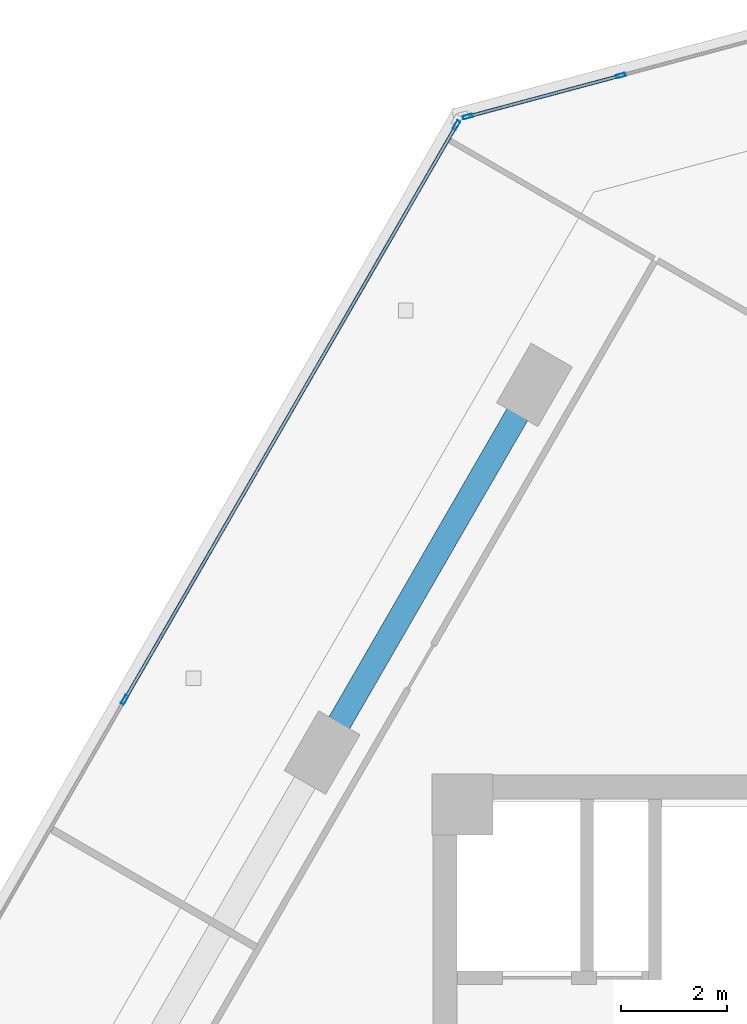
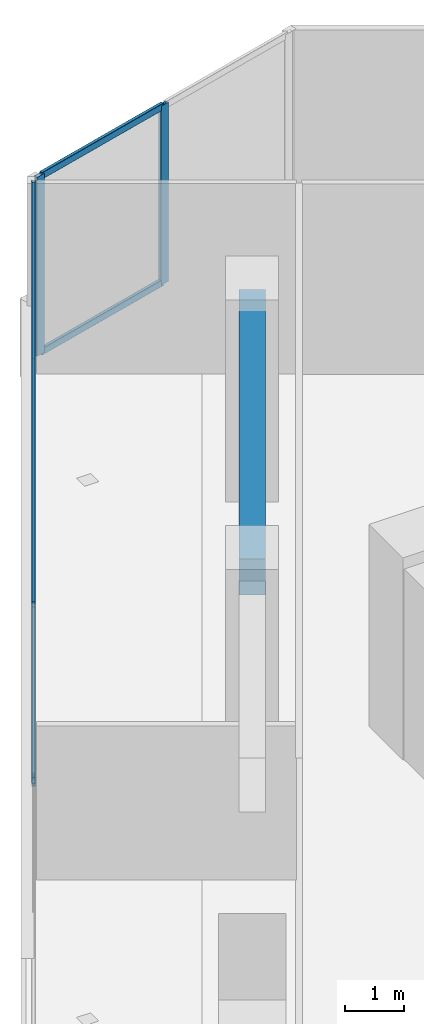
# One storey, part 12 of 21: 8 members, 1 beam, 2 elements without a shape of their own.
"""IFC4 building model written with IfcOpenShell, lengths in metres."""

from ifc_helpers import new_model, si_unit, direction, frame, origin, origin_2d, place, context, subcontext, project, spatial, rectangle, hollow_rectangle, extrude, source, transform, mapped, material, material_profile, profile_set, type_object, element, aggregate, save


model = new_model("IFC4")

# Units and contexts
model_context = context("Model", 3, precision=1e-05, world=origin(), true_north=direction((0.0, 1.0)))
body_context = subcontext(model_context, "Body", "Model", "MODEL_VIEW")
ifc_project = project(units=[si_unit("LENGTHUNIT", "METRE"), si_unit("AREAUNIT", "SQUARE_METRE"), si_unit("VOLUMEUNIT", "CUBIC_METRE"), si_unit("PLANEANGLEUNIT", "RADIAN"), si_unit("MASSUNIT", "GRAM", prefix="KILO")], contexts=[model_context])

# Site, building, storey
site_placement = place(None, origin())
site = spatial("IfcSite", under=ifc_project, at=site_placement, CompositionType="ELEMENT")
building_placement = place(site_placement, origin())
building = spatial("IfcBuilding", under=site, at=building_placement, Name="Torre Montelarca", CompositionType="ELEMENT")
storey_placement = place(building_placement, frame((0.0, 0.0, 179.199951171875)))
storey = spatial("IfcBuildingStorey", under=building, at=storey_placement, Name="L40", CompositionType="ELEMENT", Elevation=179.199951171875)

# Beam
ifc_material_1 = material(Name="Concrete C55/67", Category="concrete")
ifc_material_profile_1 = material_profile(ifc_material_1, rectangle(XDim=0.449951171875, YDim=0.75, at=origin_2d()), Name="RCB450X750", Category="concrete")
ifc_profile_set_1 = profile_set([ifc_material_profile_1], Name="Concrete C55/67")
beam_type = type_object("IfcBeamType", Name="BM-SP-RC750-EXT", PredefinedType="SPANDREL", material=ifc_profile_set_1)
shared_shape_1 = source(origin(), body_context, "Body", "SweptSolid", [
    extrude(rectangle(XDim=0.449951171875, YDim=0.75, at=origin_2d()), origin(), (0.0, 0.0, 1.0), 8.0),
])
beam_placement = place(storey_placement, frame((6.907470703125, 40.425048828125, 3.5849609375), z_axis=(0.49999894854, 0.866026010844, 0.0), x_axis=(-0.866026010844, 0.49999894854, 0.0)))
element("IfcBeam", 1, at=beam_placement, inside=storey, type_object=beam_type, Name="L40 Grid Girder Y 32.0-40.0 at X=4.7", PredefinedType="SPANDREL", context=body_context, shape_type="MappedRepresentation", body=[
    mapped(shared_shape_1, transform((0.0, 0.0, 0.0), scale=1.0)),
])

# Curtain wall, members
ifc_material_2 = material(Name="Insulated low-E laminated glass", Category="glass")
curtain_wall_type = type_object("IfcCurtainWallType", Name="CW-SYS-Z2", PredefinedType="USERDEFINED", material=ifc_material_2)
curtain_wall_1_placement = place(storey_placement, origin())
curtain_wall_1 = element("IfcCurtainWall", 2, at=curtain_wall_1_placement, inside=storey, type_object=curtain_wall_type, Name="L40 Curtain Wall Run CW-T3-L40-E09-B1", ObjectType="UNITISED GLAZING", PredefinedType="USERDEFINED")
ifc_material_3 = material(Name="Anodised aluminium AA 6063-T6", Category="aluminium")
ifc_material_profile_2 = material_profile(ifc_material_3, hollow_rectangle(XDim=0.06494140625, YDim=0.139892578125, WallThickness=0.00390625, InnerFilletRadius=0.00390625, OuterFilletRadius=0.008056640625, at=origin_2d()), Name="ALU65X140X4", Category="aluminium")
ifc_profile_set_2 = profile_set([ifc_material_profile_2], Name="Anodised aluminium AA 6063-T6")
member_type_1 = type_object("IfcMemberType", Name="CWT-ALU140", PredefinedType="USERDEFINED", material=ifc_profile_set_2)
shared_shape_2 = source(origin(), body_context, "Body", "SweptSolid", [
    extrude(hollow_rectangle(XDim=0.06494140625, YDim=0.139892578125, WallThickness=0.00390625, InnerFilletRadius=0.00390625, OuterFilletRadius=0.008056640625, at=origin_2d()), origin(), (0.0, 0.0, 1.0), 2.91845703125),
])
member_1_placement = place(storey_placement, frame((12.4990234375, 53.172119140625, 0.032470703125), z_axis=(-0.965926021302, -0.258818317304, 0.0), x_axis=(0.258818317304, -0.965926021302, 0.0)))
member_1 = element("IfcMember", 3, at=member_1_placement, type_object=member_type_1, Name="CW transom 2.1", ObjectType="TRANSOM", PredefinedType="USERDEFINED", context=body_context, shape_type="MappedRepresentation", body=[
    mapped(shared_shape_2, transform((0.0, 0.0, 0.0), scale=1.0)),
])
member_2_placement = place(storey_placement, frame((12.4990234375, 53.172119140625, 3.6875), z_axis=(-0.965926021302, -0.258818317304, 0.0), x_axis=(0.258818317304, -0.965926021302, 0.0)))
member_2 = element("IfcMember", 4, at=member_2_placement, type_object=member_type_1, Name="CW transom 2.2", ObjectType="TRANSOM", PredefinedType="USERDEFINED", context=body_context, shape_type="MappedRepresentation", body=[
    mapped(shared_shape_2, transform((0.0, 0.0, 0.0), scale=1.0)),
])

curtain_wall_2_placement = place(storey_placement, origin())
curtain_wall_2 = element("IfcCurtainWall", 5, at=curtain_wall_2_placement, inside=storey, type_object=curtain_wall_type, Name="L40 Curtain Wall Run CW-T3-L40-E10-B1", ObjectType="UNITISED GLAZING", PredefinedType="USERDEFINED")
shared_shape_3 = source(origin(), body_context, "Body", "SweptSolid", [
    extrude(hollow_rectangle(XDim=0.06494140625, YDim=0.139892578125, WallThickness=0.00390625, InnerFilletRadius=0.00390625, OuterFilletRadius=0.008056640625, at=origin_2d()), origin(), (0.0, 0.0, 1.0), 12.4365234375),
])
member_3_placement = place(storey_placement, frame((9.42041015625, 52.217529296875, 0.032470703125), z_axis=(-0.500002839747, -0.86602376425, 0.0), x_axis=(0.86602376425, -0.500002839747, 0.0)))
member_3 = element("IfcMember", 6, at=member_3_placement, type_object=member_type_1, Name="CW transom 1.1", ObjectType="TRANSOM", PredefinedType="USERDEFINED", context=body_context, shape_type="MappedRepresentation", body=[
    mapped(shared_shape_3, transform((0.0, 0.0, 0.0), scale=1.0)),
])
member_4_placement = place(storey_placement, frame((9.42041015625, 52.217529296875, 3.6875), z_axis=(-0.500002839747, -0.86602376425, 0.0), x_axis=(0.86602376425, -0.500002839747, 0.0)))
member_4 = element("IfcMember", 7, at=member_4_placement, type_object=member_type_1, Name="CW transom 1.2", ObjectType="TRANSOM", PredefinedType="USERDEFINED", context=body_context, shape_type="MappedRepresentation", body=[
    mapped(shared_shape_3, transform((0.0, 0.0, 0.0), scale=1.0)),
])

# Member
ifc_material_profile_3 = material_profile(ifc_material_3, hollow_rectangle(XDim=0.06494140625, YDim=0.179931640625, WallThickness=0.00390625, InnerFilletRadius=0.00390625, OuterFilletRadius=0.008056640625, at=origin_2d()), Name="ALU65X180X4", Category="aluminium")
ifc_profile_set_3 = profile_set([ifc_material_profile_3], Name="Anodised aluminium AA 6063-T6")
member_type_2 = type_object("IfcMemberType", Name="CWM-ALU180", PredefinedType="MULLION", material=ifc_profile_set_3)
shared_shape_4 = source(origin(), body_context, "Body", "SweptSolid", [
    extrude(hollow_rectangle(XDim=0.06494140625, YDim=0.179931640625, WallThickness=0.00390625, InnerFilletRadius=0.00390625, OuterFilletRadius=0.008056640625, at=origin_2d()), origin(), (0.0, 0.0, 1.0), 3.719970703125),
])
member_5_placement = place(storey_placement, frame((12.530517578125, 53.180419921875, 0.0), z_axis=(0.0, 0.0, 1.0), x_axis=(0.258813977273, -0.965927184196, 0.0)))
member_5 = element("IfcMember", 8, at=member_5_placement, type_object=member_type_2, Name="CW mullion 2", PredefinedType="MULLION", context=body_context, shape_type="MappedRepresentation", body=[
    mapped(shared_shape_4, transform((0.0, 0.0, 0.0), scale=1.0)),
])

member_6_placement = place(storey_placement, frame((9.648681640625, 52.408203125, 0.0), z_axis=(0.0, 0.0, 1.0), x_axis=(0.258813977273, -0.965927184196, 0.0)))
member_6 = element("IfcMember", 9, at=member_6_placement, type_object=member_type_2, Name="CW mullion 3", PredefinedType="MULLION", context=body_context, shape_type="MappedRepresentation", body=[
    mapped(shared_shape_4, transform((0.0, 0.0, 0.0), scale=1.0)),
])

aggregate(curtain_wall_1, [member_5, member_6, member_1, member_2])

member_7_placement = place(storey_placement, frame((9.436767578125, 52.245849609375, 0.0), z_axis=(0.0, 0.0, 1.0), x_axis=(0.8660246934, -0.500001230421, 0.0)))
member_7 = element("IfcMember", 10, at=member_7_placement, type_object=member_type_2, Name="CW mullion 1", PredefinedType="MULLION", context=body_context, shape_type="MappedRepresentation", body=[
    mapped(shared_shape_4, transform((0.0, 0.0, 0.0), scale=1.0)),
])

member_8_placement = place(storey_placement, frame((3.185791015625, 41.4189453125, 0.0), z_axis=(0.0, 0.0, 1.0), x_axis=(0.8660246934, -0.500001230421, 0.0)))
member_8 = element("IfcMember", 11, at=member_8_placement, type_object=member_type_2, Name="CW mullion 2", PredefinedType="MULLION", context=body_context, shape_type="MappedRepresentation", body=[
    mapped(shared_shape_4, transform((0.0, 0.0, 0.0), scale=1.0)),
])

aggregate(curtain_wall_2, [member_7, member_8, member_3, member_4])

save(model, "model.ifc")
